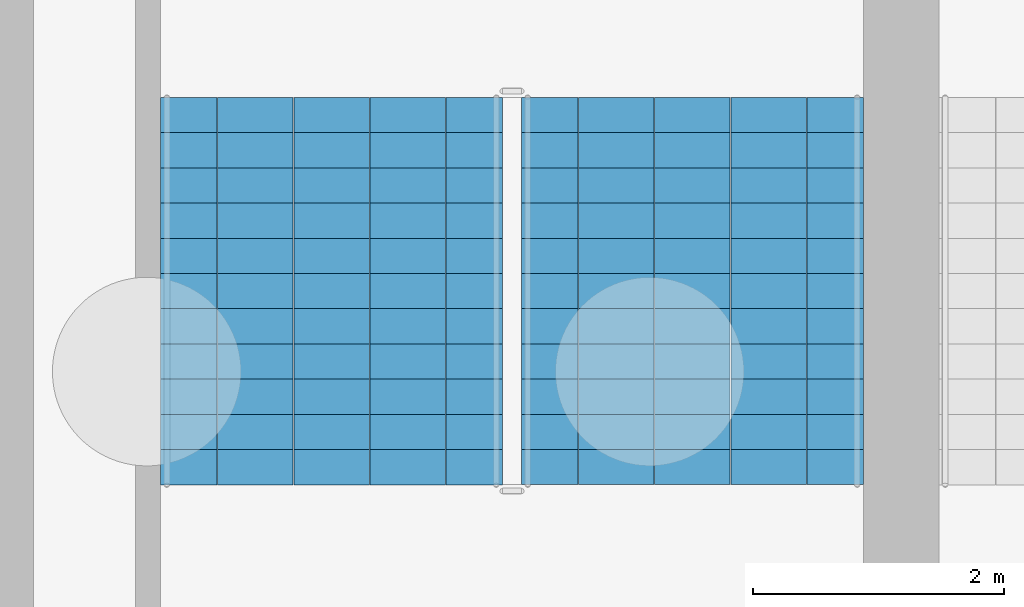
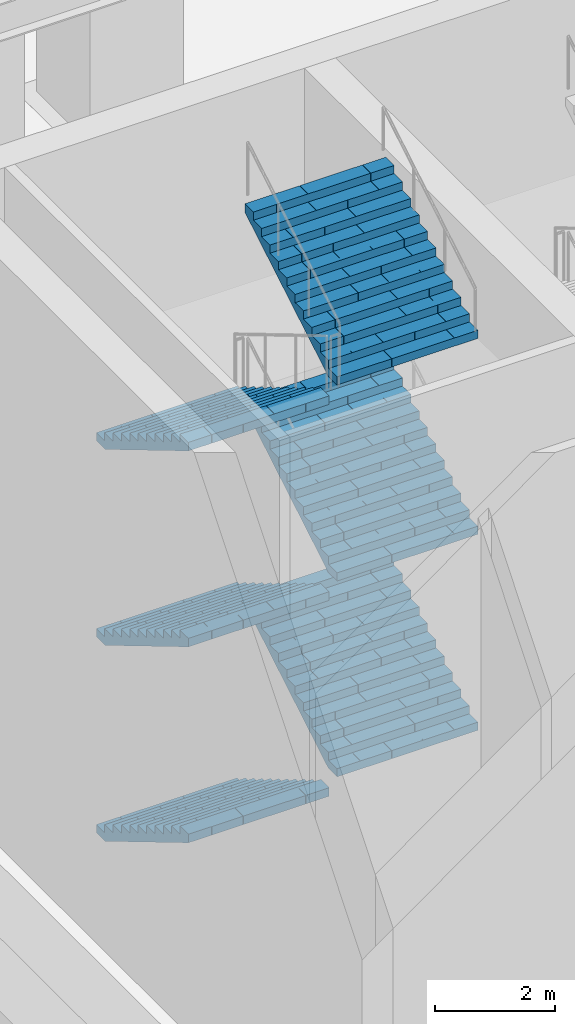
# One storey, part 12 of 34: 6 stair flights, 1 element without a shape of its own.
"""IFC4 building model written with IfcOpenShell, lengths in metres."""

from ifc_helpers import new_model, si_unit, direction, frame, origin, place, context, subcontext, project, spatial, polyline, outline, extrude, material, type_object, element, aggregate, save


model = new_model("IFC4")

# Units and contexts
model_context = context("Model", 3, precision=1e-05, world=origin(), true_north=direction((0.0, 1.0)))
body_context = subcontext(model_context, "Body", "Model", "MODEL_VIEW")
ifc_project = project(units=[si_unit("LENGTHUNIT", "METRE"), si_unit("AREAUNIT", "SQUARE_METRE"), si_unit("VOLUMEUNIT", "CUBIC_METRE"), si_unit("PLANEANGLEUNIT", "RADIAN"), si_unit("MASSUNIT", "GRAM", prefix="KILO")], contexts=[model_context])

# Site, building, storey
site_placement = place(None, origin())
site = spatial("IfcSite", under=ifc_project, at=site_placement, CompositionType="ELEMENT")
building_placement = place(site_placement, origin())
building = spatial("IfcBuilding", under=site, at=building_placement, Name="Corbelhall Arena Tower", CompositionType="ELEMENT")
storey_placement = place(building_placement, origin())
storey = spatial("IfcBuildingStorey", under=building, at=storey_placement, Name="L00", CompositionType="ELEMENT", Elevation=0.0)

# Stair, stair flights
ifc_material = material(Name="Reinforced concrete C40/50", Category="concrete")
stair_type = type_object("IfcStairType", Name="AR-EXIT-STAIR", PredefinedType="HALF_TURN_STAIR", material=ifc_material)
stair_placement = place(storey_placement, origin())
stair = element("IfcStair", 1, at=stair_placement, inside=storey, type_object=stair_type, Name="L00 exit stair AS8", PredefinedType="HALF_TURN_STAIR")
stair_flight_type = type_object("IfcStairFlightType", Name="AR-EXIT-FLIGHT", PredefinedType="STRAIGHT", material=ifc_material)
stair_flight_1_placement = place(storey_placement, frame((-45.030029296875, -27.320068359375, 0.0), z_axis=(0.0, 0.0, 1.0), x_axis=(0.0, -1.0, 0.0)))
stair_flight_1 = element("IfcStairFlight", 2, at=stair_flight_1_placement, type_object=stair_flight_type, Name="AS8 flight 1", NumberOfRisers=12, NumberOfTreads=11, PredefinedType="STRAIGHT", RiserHeight=0.166666667, TreadLength=0.28, context=body_context, shape_type="SweptSolid", body=[
    extrude(outline(polyline([(0.0, 0.0), (0.0, 0.166748046875), (0.280029296875, 0.166748046875), (0.280029296875, 0.333251953125), (0.56005859375, 0.333251953125), (0.56005859375, 0.5), (0.840087890625, 0.5), (0.840087890625, 0.666748046875), (1.1201171875, 0.666748046875), (1.1201171875, 0.833251953125), (1.39990234375, 0.833251953125), (1.39990234375, 1.0), (1.679931640625, 1.0), (1.679931640625, 1.166748046875), (1.9599609375, 1.166748046875), (1.9599609375, 1.333251953125), (2.239990234375, 1.333251953125), (2.239990234375, 1.5), (2.52001953125, 1.5), (2.52001953125, 1.666748046875), (2.800048828125, 1.666748046875), (2.800048828125, 1.833251953125), (3.080078125, 1.833251953125), (3.080078125, 2.0), (3.080078125, 1.658935546875), (0.29296875, 0.0), (0.0, 0.0)])), frame((0.0, 1.35986328125, 0.0), z_axis=(0.0, -1.0, 0.0), x_axis=(1.0, 0.0, 0.0)), (0.0, 0.0, 1.0), 0.449951171875),
    extrude(outline(polyline([(0.0, 0.0), (0.0, 0.166748046875), (0.280029296875, 0.166748046875), (0.280029296875, 0.333251953125), (0.56005859375, 0.333251953125), (0.56005859375, 0.5), (0.840087890625, 0.5), (0.840087890625, 0.666748046875), (1.1201171875, 0.666748046875), (1.1201171875, 0.833251953125), (1.39990234375, 0.833251953125), (1.39990234375, 1.0), (1.679931640625, 1.0), (1.679931640625, 1.166748046875), (1.9599609375, 1.166748046875), (1.9599609375, 1.333251953125), (2.239990234375, 1.333251953125), (2.239990234375, 1.5), (2.52001953125, 1.5), (2.52001953125, 1.666748046875), (2.800048828125, 1.666748046875), (2.800048828125, 1.833251953125), (3.080078125, 1.833251953125), (3.080078125, 2.0), (3.080078125, 1.658935546875), (0.29296875, 0.0), (0.0, 0.0)])), frame((0.0, 0.906005859375, 0.0), z_axis=(0.0, -1.0, 0.0), x_axis=(1.0, 0.0, 0.0)), (0.0, 0.0, 1.0), 0.601318359375),
    extrude(outline(polyline([(0.0, 0.0), (0.0, 0.166748046875), (0.280029296875, 0.166748046875), (0.280029296875, 0.333251953125), (0.56005859375, 0.333251953125), (0.56005859375, 0.5), (0.840087890625, 0.5), (0.840087890625, 0.666748046875), (1.1201171875, 0.666748046875), (1.1201171875, 0.833251953125), (1.39990234375, 0.833251953125), (1.39990234375, 1.0), (1.679931640625, 1.0), (1.679931640625, 1.166748046875), (1.9599609375, 1.166748046875), (1.9599609375, 1.333251953125), (2.239990234375, 1.333251953125), (2.239990234375, 1.5), (2.52001953125, 1.5), (2.52001953125, 1.666748046875), (2.800048828125, 1.666748046875), (2.800048828125, 1.833251953125), (3.080078125, 1.833251953125), (3.080078125, 2.0), (3.080078125, 1.658935546875), (0.29296875, 0.0), (0.0, 0.0)])), frame((0.0, 0.30078125, 0.0), z_axis=(0.0, -1.0, 0.0), x_axis=(1.0, 0.0, 0.0)), (0.0, 0.0, 1.0), 0.601318359375),
    extrude(outline(polyline([(0.0, 0.0), (0.0, 0.166748046875), (0.280029296875, 0.166748046875), (0.280029296875, 0.333251953125), (0.56005859375, 0.333251953125), (0.56005859375, 0.5), (0.840087890625, 0.5), (0.840087890625, 0.666748046875), (1.1201171875, 0.666748046875), (1.1201171875, 0.833251953125), (1.39990234375, 0.833251953125), (1.39990234375, 1.0), (1.679931640625, 1.0), (1.679931640625, 1.166748046875), (1.9599609375, 1.166748046875), (1.9599609375, 1.333251953125), (2.239990234375, 1.333251953125), (2.239990234375, 1.5), (2.52001953125, 1.5), (2.52001953125, 1.666748046875), (2.800048828125, 1.666748046875), (2.800048828125, 1.833251953125), (3.080078125, 1.833251953125), (3.080078125, 2.0), (3.080078125, 1.658935546875), (0.29296875, 0.0), (0.0, 0.0)])), frame((0.0, -0.3046875, 0.0), z_axis=(0.0, -1.0, 0.0), x_axis=(1.0, 0.0, 0.0)), (0.0, 0.0, 1.0), 0.601318359375),
    extrude(outline(polyline([(0.0, 0.0), (0.0, 0.166748046875), (0.280029296875, 0.166748046875), (0.280029296875, 0.333251953125), (0.56005859375, 0.333251953125), (0.56005859375, 0.5), (0.840087890625, 0.5), (0.840087890625, 0.666748046875), (1.1201171875, 0.666748046875), (1.1201171875, 0.833251953125), (1.39990234375, 0.833251953125), (1.39990234375, 1.0), (1.679931640625, 1.0), (1.679931640625, 1.166748046875), (1.9599609375, 1.166748046875), (1.9599609375, 1.333251953125), (2.239990234375, 1.333251953125), (2.239990234375, 1.5), (2.52001953125, 1.5), (2.52001953125, 1.666748046875), (2.800048828125, 1.666748046875), (2.800048828125, 1.833251953125), (3.080078125, 1.833251953125), (3.080078125, 2.0), (3.080078125, 1.658935546875), (0.29296875, 0.0), (0.0, 0.0)])), frame((0.0, -0.909912109375, 0.0), z_axis=(0.0, -1.0, 0.0), x_axis=(1.0, 0.0, 0.0)), (0.0, 0.0, 1.0), 0.449951171875),
])
stair_flight_2_placement = place(storey_placement, frame((-42.159912109375, -30.39990234375, 2.0), z_axis=(0.0, 0.0, 1.0), x_axis=(0.0, 1.0, 0.0)))
stair_flight_2 = element("IfcStairFlight", 3, at=stair_flight_2_placement, type_object=stair_flight_type, Name="AS8 flight 2", NumberOfRisers=12, NumberOfTreads=11, PredefinedType="STRAIGHT", RiserHeight=0.166666667, TreadLength=0.28, context=body_context, shape_type="SweptSolid", body=[
    extrude(outline(polyline([(0.0, 0.0), (0.0, 0.166748046875), (0.280029296875, 0.166748046875), (0.280029296875, 0.333251953125), (0.56005859375, 0.333251953125), (0.56005859375, 0.5), (0.840087890625, 0.5), (0.840087890625, 0.666748046875), (1.1201171875, 0.666748046875), (1.1201171875, 0.833251953125), (1.39990234375, 0.833251953125), (1.39990234375, 1.0), (1.679931640625, 1.0), (1.679931640625, 1.166748046875), (1.9599609375, 1.166748046875), (1.9599609375, 1.333251953125), (2.239990234375, 1.333251953125), (2.239990234375, 1.5), (2.52001953125, 1.5), (2.52001953125, 1.666748046875), (2.800048828125, 1.666748046875), (2.800048828125, 1.833251953125), (3.080078125, 1.833251953125), (3.080078125, 2.0), (3.080078125, 1.658935546875), (0.29296875, 0.0), (0.0, 0.0)])), frame((0.0, 1.35986328125, 0.0), z_axis=(0.0, -1.0, 0.0), x_axis=(1.0, 0.0, 0.0)), (0.0, 0.0, 1.0), 0.449951171875),
    extrude(outline(polyline([(0.0, 0.0), (0.0, 0.166748046875), (0.280029296875, 0.166748046875), (0.280029296875, 0.333251953125), (0.56005859375, 0.333251953125), (0.56005859375, 0.5), (0.840087890625, 0.5), (0.840087890625, 0.666748046875), (1.1201171875, 0.666748046875), (1.1201171875, 0.833251953125), (1.39990234375, 0.833251953125), (1.39990234375, 1.0), (1.679931640625, 1.0), (1.679931640625, 1.166748046875), (1.9599609375, 1.166748046875), (1.9599609375, 1.333251953125), (2.239990234375, 1.333251953125), (2.239990234375, 1.5), (2.52001953125, 1.5), (2.52001953125, 1.666748046875), (2.800048828125, 1.666748046875), (2.800048828125, 1.833251953125), (3.080078125, 1.833251953125), (3.080078125, 2.0), (3.080078125, 1.658935546875), (0.29296875, 0.0), (0.0, 0.0)])), frame((0.0, 0.906005859375, 0.0), z_axis=(0.0, -1.0, 0.0), x_axis=(1.0, 0.0, 0.0)), (0.0, 0.0, 1.0), 0.601318359375),
    extrude(outline(polyline([(0.0, 0.0), (0.0, 0.166748046875), (0.280029296875, 0.166748046875), (0.280029296875, 0.333251953125), (0.56005859375, 0.333251953125), (0.56005859375, 0.5), (0.840087890625, 0.5), (0.840087890625, 0.666748046875), (1.1201171875, 0.666748046875), (1.1201171875, 0.833251953125), (1.39990234375, 0.833251953125), (1.39990234375, 1.0), (1.679931640625, 1.0), (1.679931640625, 1.166748046875), (1.9599609375, 1.166748046875), (1.9599609375, 1.333251953125), (2.239990234375, 1.333251953125), (2.239990234375, 1.5), (2.52001953125, 1.5), (2.52001953125, 1.666748046875), (2.800048828125, 1.666748046875), (2.800048828125, 1.833251953125), (3.080078125, 1.833251953125), (3.080078125, 2.0), (3.080078125, 1.658935546875), (0.29296875, 0.0), (0.0, 0.0)])), frame((0.0, 0.30078125, 0.0), z_axis=(0.0, -1.0, 0.0), x_axis=(1.0, 0.0, 0.0)), (0.0, 0.0, 1.0), 0.601318359375),
    extrude(outline(polyline([(0.0, 0.0), (0.0, 0.166748046875), (0.280029296875, 0.166748046875), (0.280029296875, 0.333251953125), (0.56005859375, 0.333251953125), (0.56005859375, 0.5), (0.840087890625, 0.5), (0.840087890625, 0.666748046875), (1.1201171875, 0.666748046875), (1.1201171875, 0.833251953125), (1.39990234375, 0.833251953125), (1.39990234375, 1.0), (1.679931640625, 1.0), (1.679931640625, 1.166748046875), (1.9599609375, 1.166748046875), (1.9599609375, 1.333251953125), (2.239990234375, 1.333251953125), (2.239990234375, 1.5), (2.52001953125, 1.5), (2.52001953125, 1.666748046875), (2.800048828125, 1.666748046875), (2.800048828125, 1.833251953125), (3.080078125, 1.833251953125), (3.080078125, 2.0), (3.080078125, 1.658935546875), (0.29296875, 0.0), (0.0, 0.0)])), frame((0.0, -0.3046875, 0.0), z_axis=(0.0, -1.0, 0.0), x_axis=(1.0, 0.0, 0.0)), (0.0, 0.0, 1.0), 0.601318359375),
    extrude(outline(polyline([(0.0, 0.0), (0.0, 0.166748046875), (0.280029296875, 0.166748046875), (0.280029296875, 0.333251953125), (0.56005859375, 0.333251953125), (0.56005859375, 0.5), (0.840087890625, 0.5), (0.840087890625, 0.666748046875), (1.1201171875, 0.666748046875), (1.1201171875, 0.833251953125), (1.39990234375, 0.833251953125), (1.39990234375, 1.0), (1.679931640625, 1.0), (1.679931640625, 1.166748046875), (1.9599609375, 1.166748046875), (1.9599609375, 1.333251953125), (2.239990234375, 1.333251953125), (2.239990234375, 1.5), (2.52001953125, 1.5), (2.52001953125, 1.666748046875), (2.800048828125, 1.666748046875), (2.800048828125, 1.833251953125), (3.080078125, 1.833251953125), (3.080078125, 2.0), (3.080078125, 1.658935546875), (0.29296875, 0.0), (0.0, 0.0)])), frame((0.0, -0.909912109375, 0.0), z_axis=(0.0, -1.0, 0.0), x_axis=(1.0, 0.0, 0.0)), (0.0, 0.0, 1.0), 0.449951171875),
])
stair_flight_3_placement = place(storey_placement, frame((-45.030029296875, -27.320068359375, 4.0), z_axis=(0.0, 0.0, 1.0), x_axis=(0.0, -1.0, 0.0)))
stair_flight_3 = element("IfcStairFlight", 4, at=stair_flight_3_placement, type_object=stair_flight_type, Name="AS8 flight 3", NumberOfRisers=12, NumberOfTreads=11, PredefinedType="STRAIGHT", RiserHeight=0.166666667, TreadLength=0.28, context=body_context, shape_type="SweptSolid", body=[
    extrude(outline(polyline([(0.0, 0.0), (0.0, 0.166748046875), (0.280029296875, 0.166748046875), (0.280029296875, 0.333251953125), (0.56005859375, 0.333251953125), (0.56005859375, 0.5), (0.840087890625, 0.5), (0.840087890625, 0.666748046875), (1.1201171875, 0.666748046875), (1.1201171875, 0.833251953125), (1.39990234375, 0.833251953125), (1.39990234375, 1.0), (1.679931640625, 1.0), (1.679931640625, 1.166748046875), (1.9599609375, 1.166748046875), (1.9599609375, 1.333251953125), (2.239990234375, 1.333251953125), (2.239990234375, 1.5), (2.52001953125, 1.5), (2.52001953125, 1.666748046875), (2.800048828125, 1.666748046875), (2.800048828125, 1.833251953125), (3.080078125, 1.833251953125), (3.080078125, 2.0), (3.080078125, 1.658935546875), (0.29296875, 0.0), (0.0, 0.0)])), frame((0.0, 1.35986328125, 0.0), z_axis=(0.0, -1.0, 0.0), x_axis=(1.0, 0.0, 0.0)), (0.0, 0.0, 1.0), 0.449951171875),
    extrude(outline(polyline([(0.0, 0.0), (0.0, 0.166748046875), (0.280029296875, 0.166748046875), (0.280029296875, 0.333251953125), (0.56005859375, 0.333251953125), (0.56005859375, 0.5), (0.840087890625, 0.5), (0.840087890625, 0.666748046875), (1.1201171875, 0.666748046875), (1.1201171875, 0.833251953125), (1.39990234375, 0.833251953125), (1.39990234375, 1.0), (1.679931640625, 1.0), (1.679931640625, 1.166748046875), (1.9599609375, 1.166748046875), (1.9599609375, 1.333251953125), (2.239990234375, 1.333251953125), (2.239990234375, 1.5), (2.52001953125, 1.5), (2.52001953125, 1.666748046875), (2.800048828125, 1.666748046875), (2.800048828125, 1.833251953125), (3.080078125, 1.833251953125), (3.080078125, 2.0), (3.080078125, 1.658935546875), (0.29296875, 0.0), (0.0, 0.0)])), frame((0.0, 0.906005859375, 0.0), z_axis=(0.0, -1.0, 0.0), x_axis=(1.0, 0.0, 0.0)), (0.0, 0.0, 1.0), 0.601318359375),
    extrude(outline(polyline([(0.0, 0.0), (0.0, 0.166748046875), (0.280029296875, 0.166748046875), (0.280029296875, 0.333251953125), (0.56005859375, 0.333251953125), (0.56005859375, 0.5), (0.840087890625, 0.5), (0.840087890625, 0.666748046875), (1.1201171875, 0.666748046875), (1.1201171875, 0.833251953125), (1.39990234375, 0.833251953125), (1.39990234375, 1.0), (1.679931640625, 1.0), (1.679931640625, 1.166748046875), (1.9599609375, 1.166748046875), (1.9599609375, 1.333251953125), (2.239990234375, 1.333251953125), (2.239990234375, 1.5), (2.52001953125, 1.5), (2.52001953125, 1.666748046875), (2.800048828125, 1.666748046875), (2.800048828125, 1.833251953125), (3.080078125, 1.833251953125), (3.080078125, 2.0), (3.080078125, 1.658935546875), (0.29296875, 0.0), (0.0, 0.0)])), frame((0.0, 0.30078125, 0.0), z_axis=(0.0, -1.0, 0.0), x_axis=(1.0, 0.0, 0.0)), (0.0, 0.0, 1.0), 0.601318359375),
    extrude(outline(polyline([(0.0, 0.0), (0.0, 0.166748046875), (0.280029296875, 0.166748046875), (0.280029296875, 0.333251953125), (0.56005859375, 0.333251953125), (0.56005859375, 0.5), (0.840087890625, 0.5), (0.840087890625, 0.666748046875), (1.1201171875, 0.666748046875), (1.1201171875, 0.833251953125), (1.39990234375, 0.833251953125), (1.39990234375, 1.0), (1.679931640625, 1.0), (1.679931640625, 1.166748046875), (1.9599609375, 1.166748046875), (1.9599609375, 1.333251953125), (2.239990234375, 1.333251953125), (2.239990234375, 1.5), (2.52001953125, 1.5), (2.52001953125, 1.666748046875), (2.800048828125, 1.666748046875), (2.800048828125, 1.833251953125), (3.080078125, 1.833251953125), (3.080078125, 2.0), (3.080078125, 1.658935546875), (0.29296875, 0.0), (0.0, 0.0)])), frame((0.0, -0.3046875, 0.0), z_axis=(0.0, -1.0, 0.0), x_axis=(1.0, 0.0, 0.0)), (0.0, 0.0, 1.0), 0.601318359375),
    extrude(outline(polyline([(0.0, 0.0), (0.0, 0.166748046875), (0.280029296875, 0.166748046875), (0.280029296875, 0.333251953125), (0.56005859375, 0.333251953125), (0.56005859375, 0.5), (0.840087890625, 0.5), (0.840087890625, 0.666748046875), (1.1201171875, 0.666748046875), (1.1201171875, 0.833251953125), (1.39990234375, 0.833251953125), (1.39990234375, 1.0), (1.679931640625, 1.0), (1.679931640625, 1.166748046875), (1.9599609375, 1.166748046875), (1.9599609375, 1.333251953125), (2.239990234375, 1.333251953125), (2.239990234375, 1.5), (2.52001953125, 1.5), (2.52001953125, 1.666748046875), (2.800048828125, 1.666748046875), (2.800048828125, 1.833251953125), (3.080078125, 1.833251953125), (3.080078125, 2.0), (3.080078125, 1.658935546875), (0.29296875, 0.0), (0.0, 0.0)])), frame((0.0, -0.909912109375, 0.0), z_axis=(0.0, -1.0, 0.0), x_axis=(1.0, 0.0, 0.0)), (0.0, 0.0, 1.0), 0.449951171875),
])
stair_flight_4_placement = place(storey_placement, frame((-42.159912109375, -30.39990234375, 6.0), z_axis=(0.0, 0.0, 1.0), x_axis=(0.0, 1.0, 0.0)))
stair_flight_4 = element("IfcStairFlight", 5, at=stair_flight_4_placement, type_object=stair_flight_type, Name="AS8 flight 4", NumberOfRisers=12, NumberOfTreads=11, PredefinedType="STRAIGHT", RiserHeight=0.166666667, TreadLength=0.28, context=body_context, shape_type="SweptSolid", body=[
    extrude(outline(polyline([(0.0, 0.0), (0.0, 0.166748046875), (0.280029296875, 0.166748046875), (0.280029296875, 0.333251953125), (0.56005859375, 0.333251953125), (0.56005859375, 0.5), (0.840087890625, 0.5), (0.840087890625, 0.666748046875), (1.1201171875, 0.666748046875), (1.1201171875, 0.833251953125), (1.39990234375, 0.833251953125), (1.39990234375, 1.0), (1.679931640625, 1.0), (1.679931640625, 1.166748046875), (1.9599609375, 1.166748046875), (1.9599609375, 1.333251953125), (2.239990234375, 1.333251953125), (2.239990234375, 1.5), (2.52001953125, 1.5), (2.52001953125, 1.666748046875), (2.800048828125, 1.666748046875), (2.800048828125, 1.833251953125), (3.080078125, 1.833251953125), (3.080078125, 2.0), (3.080078125, 1.658935546875), (0.29296875, 0.0), (0.0, 0.0)])), frame((0.0, 1.35986328125, 0.0), z_axis=(0.0, -1.0, 0.0), x_axis=(1.0, 0.0, 0.0)), (0.0, 0.0, 1.0), 0.449951171875),
    extrude(outline(polyline([(0.0, 0.0), (0.0, 0.166748046875), (0.280029296875, 0.166748046875), (0.280029296875, 0.333251953125), (0.56005859375, 0.333251953125), (0.56005859375, 0.5), (0.840087890625, 0.5), (0.840087890625, 0.666748046875), (1.1201171875, 0.666748046875), (1.1201171875, 0.833251953125), (1.39990234375, 0.833251953125), (1.39990234375, 1.0), (1.679931640625, 1.0), (1.679931640625, 1.166748046875), (1.9599609375, 1.166748046875), (1.9599609375, 1.333251953125), (2.239990234375, 1.333251953125), (2.239990234375, 1.5), (2.52001953125, 1.5), (2.52001953125, 1.666748046875), (2.800048828125, 1.666748046875), (2.800048828125, 1.833251953125), (3.080078125, 1.833251953125), (3.080078125, 2.0), (3.080078125, 1.658935546875), (0.29296875, 0.0), (0.0, 0.0)])), frame((0.0, 0.906005859375, 0.0), z_axis=(0.0, -1.0, 0.0), x_axis=(1.0, 0.0, 0.0)), (0.0, 0.0, 1.0), 0.601318359375),
    extrude(outline(polyline([(0.0, 0.0), (0.0, 0.166748046875), (0.280029296875, 0.166748046875), (0.280029296875, 0.333251953125), (0.56005859375, 0.333251953125), (0.56005859375, 0.5), (0.840087890625, 0.5), (0.840087890625, 0.666748046875), (1.1201171875, 0.666748046875), (1.1201171875, 0.833251953125), (1.39990234375, 0.833251953125), (1.39990234375, 1.0), (1.679931640625, 1.0), (1.679931640625, 1.166748046875), (1.9599609375, 1.166748046875), (1.9599609375, 1.333251953125), (2.239990234375, 1.333251953125), (2.239990234375, 1.5), (2.52001953125, 1.5), (2.52001953125, 1.666748046875), (2.800048828125, 1.666748046875), (2.800048828125, 1.833251953125), (3.080078125, 1.833251953125), (3.080078125, 2.0), (3.080078125, 1.658935546875), (0.29296875, 0.0), (0.0, 0.0)])), frame((0.0, 0.30078125, 0.0), z_axis=(0.0, -1.0, 0.0), x_axis=(1.0, 0.0, 0.0)), (0.0, 0.0, 1.0), 0.601318359375),
    extrude(outline(polyline([(0.0, 0.0), (0.0, 0.166748046875), (0.280029296875, 0.166748046875), (0.280029296875, 0.333251953125), (0.56005859375, 0.333251953125), (0.56005859375, 0.5), (0.840087890625, 0.5), (0.840087890625, 0.666748046875), (1.1201171875, 0.666748046875), (1.1201171875, 0.833251953125), (1.39990234375, 0.833251953125), (1.39990234375, 1.0), (1.679931640625, 1.0), (1.679931640625, 1.166748046875), (1.9599609375, 1.166748046875), (1.9599609375, 1.333251953125), (2.239990234375, 1.333251953125), (2.239990234375, 1.5), (2.52001953125, 1.5), (2.52001953125, 1.666748046875), (2.800048828125, 1.666748046875), (2.800048828125, 1.833251953125), (3.080078125, 1.833251953125), (3.080078125, 2.0), (3.080078125, 1.658935546875), (0.29296875, 0.0), (0.0, 0.0)])), frame((0.0, -0.3046875, 0.0), z_axis=(0.0, -1.0, 0.0), x_axis=(1.0, 0.0, 0.0)), (0.0, 0.0, 1.0), 0.601318359375),
    extrude(outline(polyline([(0.0, 0.0), (0.0, 0.166748046875), (0.280029296875, 0.166748046875), (0.280029296875, 0.333251953125), (0.56005859375, 0.333251953125), (0.56005859375, 0.5), (0.840087890625, 0.5), (0.840087890625, 0.666748046875), (1.1201171875, 0.666748046875), (1.1201171875, 0.833251953125), (1.39990234375, 0.833251953125), (1.39990234375, 1.0), (1.679931640625, 1.0), (1.679931640625, 1.166748046875), (1.9599609375, 1.166748046875), (1.9599609375, 1.333251953125), (2.239990234375, 1.333251953125), (2.239990234375, 1.5), (2.52001953125, 1.5), (2.52001953125, 1.666748046875), (2.800048828125, 1.666748046875), (2.800048828125, 1.833251953125), (3.080078125, 1.833251953125), (3.080078125, 2.0), (3.080078125, 1.658935546875), (0.29296875, 0.0), (0.0, 0.0)])), frame((0.0, -0.909912109375, 0.0), z_axis=(0.0, -1.0, 0.0), x_axis=(1.0, 0.0, 0.0)), (0.0, 0.0, 1.0), 0.449951171875),
])
stair_flight_5_placement = place(storey_placement, frame((-45.030029296875, -27.320068359375, 8.0), z_axis=(0.0, 0.0, 1.0), x_axis=(0.0, -1.0, 0.0)))
stair_flight_5 = element("IfcStairFlight", 6, at=stair_flight_5_placement, type_object=stair_flight_type, Name="AS8 flight 5", NumberOfRisers=12, NumberOfTreads=11, PredefinedType="STRAIGHT", RiserHeight=0.166666667, TreadLength=0.28, context=body_context, shape_type="SweptSolid", body=[
    extrude(outline(polyline([(0.0, 0.0), (0.0, 0.166748046875), (0.280029296875, 0.166748046875), (0.280029296875, 0.333251953125), (0.56005859375, 0.333251953125), (0.56005859375, 0.5), (0.840087890625, 0.5), (0.840087890625, 0.666748046875), (1.1201171875, 0.666748046875), (1.1201171875, 0.833251953125), (1.39990234375, 0.833251953125), (1.39990234375, 1.0), (1.679931640625, 1.0), (1.679931640625, 1.166748046875), (1.9599609375, 1.166748046875), (1.9599609375, 1.333251953125), (2.239990234375, 1.333251953125), (2.239990234375, 1.5), (2.52001953125, 1.5), (2.52001953125, 1.666748046875), (2.800048828125, 1.666748046875), (2.800048828125, 1.833251953125), (3.080078125, 1.833251953125), (3.080078125, 2.0), (3.080078125, 1.658935546875), (0.29296875, 0.0), (0.0, 0.0)])), frame((0.0, 1.35986328125, 0.0), z_axis=(0.0, -1.0, 0.0), x_axis=(1.0, 0.0, 0.0)), (0.0, 0.0, 1.0), 0.449951171875),
    extrude(outline(polyline([(0.0, 0.0), (0.0, 0.166748046875), (0.280029296875, 0.166748046875), (0.280029296875, 0.333251953125), (0.56005859375, 0.333251953125), (0.56005859375, 0.5), (0.840087890625, 0.5), (0.840087890625, 0.666748046875), (1.1201171875, 0.666748046875), (1.1201171875, 0.833251953125), (1.39990234375, 0.833251953125), (1.39990234375, 1.0), (1.679931640625, 1.0), (1.679931640625, 1.166748046875), (1.9599609375, 1.166748046875), (1.9599609375, 1.333251953125), (2.239990234375, 1.333251953125), (2.239990234375, 1.5), (2.52001953125, 1.5), (2.52001953125, 1.666748046875), (2.800048828125, 1.666748046875), (2.800048828125, 1.833251953125), (3.080078125, 1.833251953125), (3.080078125, 2.0), (3.080078125, 1.658935546875), (0.29296875, 0.0), (0.0, 0.0)])), frame((0.0, 0.906005859375, 0.0), z_axis=(0.0, -1.0, 0.0), x_axis=(1.0, 0.0, 0.0)), (0.0, 0.0, 1.0), 0.601318359375),
    extrude(outline(polyline([(0.0, 0.0), (0.0, 0.166748046875), (0.280029296875, 0.166748046875), (0.280029296875, 0.333251953125), (0.56005859375, 0.333251953125), (0.56005859375, 0.5), (0.840087890625, 0.5), (0.840087890625, 0.666748046875), (1.1201171875, 0.666748046875), (1.1201171875, 0.833251953125), (1.39990234375, 0.833251953125), (1.39990234375, 1.0), (1.679931640625, 1.0), (1.679931640625, 1.166748046875), (1.9599609375, 1.166748046875), (1.9599609375, 1.333251953125), (2.239990234375, 1.333251953125), (2.239990234375, 1.5), (2.52001953125, 1.5), (2.52001953125, 1.666748046875), (2.800048828125, 1.666748046875), (2.800048828125, 1.833251953125), (3.080078125, 1.833251953125), (3.080078125, 2.0), (3.080078125, 1.658935546875), (0.29296875, 0.0), (0.0, 0.0)])), frame((0.0, 0.30078125, 0.0), z_axis=(0.0, -1.0, 0.0), x_axis=(1.0, 0.0, 0.0)), (0.0, 0.0, 1.0), 0.601318359375),
    extrude(outline(polyline([(0.0, 0.0), (0.0, 0.166748046875), (0.280029296875, 0.166748046875), (0.280029296875, 0.333251953125), (0.56005859375, 0.333251953125), (0.56005859375, 0.5), (0.840087890625, 0.5), (0.840087890625, 0.666748046875), (1.1201171875, 0.666748046875), (1.1201171875, 0.833251953125), (1.39990234375, 0.833251953125), (1.39990234375, 1.0), (1.679931640625, 1.0), (1.679931640625, 1.166748046875), (1.9599609375, 1.166748046875), (1.9599609375, 1.333251953125), (2.239990234375, 1.333251953125), (2.239990234375, 1.5), (2.52001953125, 1.5), (2.52001953125, 1.666748046875), (2.800048828125, 1.666748046875), (2.800048828125, 1.833251953125), (3.080078125, 1.833251953125), (3.080078125, 2.0), (3.080078125, 1.658935546875), (0.29296875, 0.0), (0.0, 0.0)])), frame((0.0, -0.3046875, 0.0), z_axis=(0.0, -1.0, 0.0), x_axis=(1.0, 0.0, 0.0)), (0.0, 0.0, 1.0), 0.601318359375),
    extrude(outline(polyline([(0.0, 0.0), (0.0, 0.166748046875), (0.280029296875, 0.166748046875), (0.280029296875, 0.333251953125), (0.56005859375, 0.333251953125), (0.56005859375, 0.5), (0.840087890625, 0.5), (0.840087890625, 0.666748046875), (1.1201171875, 0.666748046875), (1.1201171875, 0.833251953125), (1.39990234375, 0.833251953125), (1.39990234375, 1.0), (1.679931640625, 1.0), (1.679931640625, 1.166748046875), (1.9599609375, 1.166748046875), (1.9599609375, 1.333251953125), (2.239990234375, 1.333251953125), (2.239990234375, 1.5), (2.52001953125, 1.5), (2.52001953125, 1.666748046875), (2.800048828125, 1.666748046875), (2.800048828125, 1.833251953125), (3.080078125, 1.833251953125), (3.080078125, 2.0), (3.080078125, 1.658935546875), (0.29296875, 0.0), (0.0, 0.0)])), frame((0.0, -0.909912109375, 0.0), z_axis=(0.0, -1.0, 0.0), x_axis=(1.0, 0.0, 0.0)), (0.0, 0.0, 1.0), 0.449951171875),
])
stair_flight_6_placement = place(storey_placement, frame((-42.159912109375, -30.39990234375, 10.0), z_axis=(0.0, 0.0, 1.0), x_axis=(0.0, 1.0, 0.0)))
stair_flight_6 = element("IfcStairFlight", 7, at=stair_flight_6_placement, type_object=stair_flight_type, Name="AS8 flight 6", NumberOfRisers=12, NumberOfTreads=11, PredefinedType="STRAIGHT", RiserHeight=0.166666667, TreadLength=0.28, context=body_context, shape_type="SweptSolid", body=[
    extrude(outline(polyline([(0.0, 0.0), (0.0, 0.166748046875), (0.280029296875, 0.166748046875), (0.280029296875, 0.333251953125), (0.56005859375, 0.333251953125), (0.56005859375, 0.5), (0.840087890625, 0.5), (0.840087890625, 0.666748046875), (1.1201171875, 0.666748046875), (1.1201171875, 0.833251953125), (1.39990234375, 0.833251953125), (1.39990234375, 1.0), (1.679931640625, 1.0), (1.679931640625, 1.166748046875), (1.9599609375, 1.166748046875), (1.9599609375, 1.333251953125), (2.239990234375, 1.333251953125), (2.239990234375, 1.5), (2.52001953125, 1.5), (2.52001953125, 1.666748046875), (2.800048828125, 1.666748046875), (2.800048828125, 1.833251953125), (3.080078125, 1.833251953125), (3.080078125, 2.0), (3.080078125, 1.658935546875), (0.29296875, 0.0), (0.0, 0.0)])), frame((0.0, 1.35986328125, 0.0), z_axis=(0.0, -1.0, 0.0), x_axis=(1.0, 0.0, 0.0)), (0.0, 0.0, 1.0), 0.449951171875),
    extrude(outline(polyline([(0.0, 0.0), (0.0, 0.166748046875), (0.280029296875, 0.166748046875), (0.280029296875, 0.333251953125), (0.56005859375, 0.333251953125), (0.56005859375, 0.5), (0.840087890625, 0.5), (0.840087890625, 0.666748046875), (1.1201171875, 0.666748046875), (1.1201171875, 0.833251953125), (1.39990234375, 0.833251953125), (1.39990234375, 1.0), (1.679931640625, 1.0), (1.679931640625, 1.166748046875), (1.9599609375, 1.166748046875), (1.9599609375, 1.333251953125), (2.239990234375, 1.333251953125), (2.239990234375, 1.5), (2.52001953125, 1.5), (2.52001953125, 1.666748046875), (2.800048828125, 1.666748046875), (2.800048828125, 1.833251953125), (3.080078125, 1.833251953125), (3.080078125, 2.0), (3.080078125, 1.658935546875), (0.29296875, 0.0), (0.0, 0.0)])), frame((0.0, 0.906005859375, 0.0), z_axis=(0.0, -1.0, 0.0), x_axis=(1.0, 0.0, 0.0)), (0.0, 0.0, 1.0), 0.601318359375),
    extrude(outline(polyline([(0.0, 0.0), (0.0, 0.166748046875), (0.280029296875, 0.166748046875), (0.280029296875, 0.333251953125), (0.56005859375, 0.333251953125), (0.56005859375, 0.5), (0.840087890625, 0.5), (0.840087890625, 0.666748046875), (1.1201171875, 0.666748046875), (1.1201171875, 0.833251953125), (1.39990234375, 0.833251953125), (1.39990234375, 1.0), (1.679931640625, 1.0), (1.679931640625, 1.166748046875), (1.9599609375, 1.166748046875), (1.9599609375, 1.333251953125), (2.239990234375, 1.333251953125), (2.239990234375, 1.5), (2.52001953125, 1.5), (2.52001953125, 1.666748046875), (2.800048828125, 1.666748046875), (2.800048828125, 1.833251953125), (3.080078125, 1.833251953125), (3.080078125, 2.0), (3.080078125, 1.658935546875), (0.29296875, 0.0), (0.0, 0.0)])), frame((0.0, 0.30078125, 0.0), z_axis=(0.0, -1.0, 0.0), x_axis=(1.0, 0.0, 0.0)), (0.0, 0.0, 1.0), 0.601318359375),
    extrude(outline(polyline([(0.0, 0.0), (0.0, 0.166748046875), (0.280029296875, 0.166748046875), (0.280029296875, 0.333251953125), (0.56005859375, 0.333251953125), (0.56005859375, 0.5), (0.840087890625, 0.5), (0.840087890625, 0.666748046875), (1.1201171875, 0.666748046875), (1.1201171875, 0.833251953125), (1.39990234375, 0.833251953125), (1.39990234375, 1.0), (1.679931640625, 1.0), (1.679931640625, 1.166748046875), (1.9599609375, 1.166748046875), (1.9599609375, 1.333251953125), (2.239990234375, 1.333251953125), (2.239990234375, 1.5), (2.52001953125, 1.5), (2.52001953125, 1.666748046875), (2.800048828125, 1.666748046875), (2.800048828125, 1.833251953125), (3.080078125, 1.833251953125), (3.080078125, 2.0), (3.080078125, 1.658935546875), (0.29296875, 0.0), (0.0, 0.0)])), frame((0.0, -0.3046875, 0.0), z_axis=(0.0, -1.0, 0.0), x_axis=(1.0, 0.0, 0.0)), (0.0, 0.0, 1.0), 0.601318359375),
    extrude(outline(polyline([(0.0, 0.0), (0.0, 0.166748046875), (0.280029296875, 0.166748046875), (0.280029296875, 0.333251953125), (0.56005859375, 0.333251953125), (0.56005859375, 0.5), (0.840087890625, 0.5), (0.840087890625, 0.666748046875), (1.1201171875, 0.666748046875), (1.1201171875, 0.833251953125), (1.39990234375, 0.833251953125), (1.39990234375, 1.0), (1.679931640625, 1.0), (1.679931640625, 1.166748046875), (1.9599609375, 1.166748046875), (1.9599609375, 1.333251953125), (2.239990234375, 1.333251953125), (2.239990234375, 1.5), (2.52001953125, 1.5), (2.52001953125, 1.666748046875), (2.800048828125, 1.666748046875), (2.800048828125, 1.833251953125), (3.080078125, 1.833251953125), (3.080078125, 2.0), (3.080078125, 1.658935546875), (0.29296875, 0.0), (0.0, 0.0)])), frame((0.0, -0.909912109375, 0.0), z_axis=(0.0, -1.0, 0.0), x_axis=(1.0, 0.0, 0.0)), (0.0, 0.0, 1.0), 0.449951171875),
])
aggregate(stair, [stair_flight_1, stair_flight_2, stair_flight_3, stair_flight_4, stair_flight_5, stair_flight_6])

save(model, "model.ifc")
